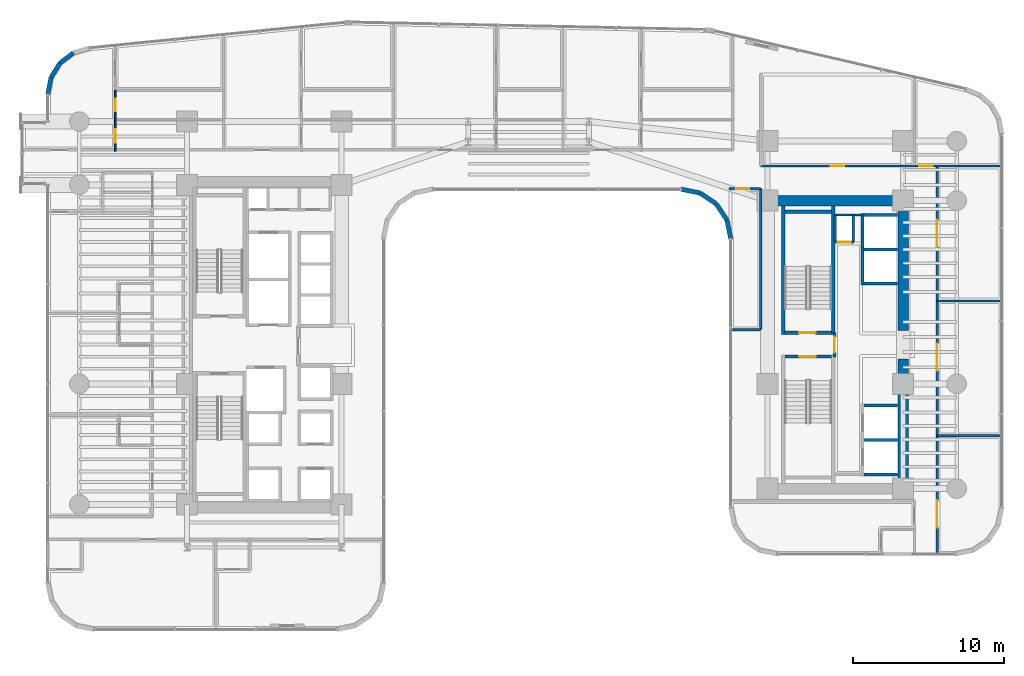
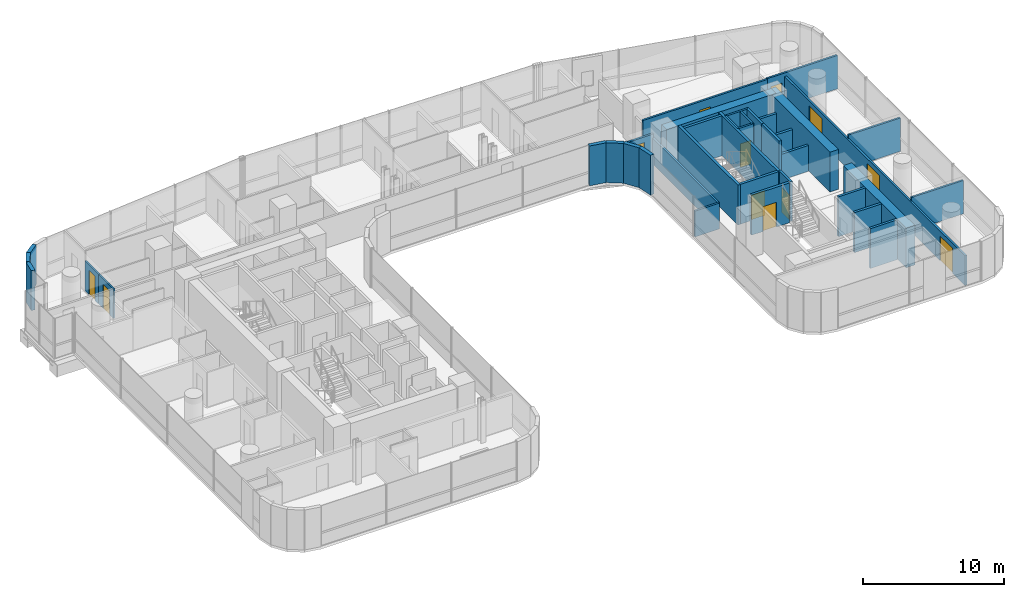
# One storey, part 34 of 42: 38 walls, 12 doors, 12 openings.
"""IFC4 building model written with IfcOpenShell, lengths in metres."""

from ifc_helpers import new_model, si_unit, direction, frame, frame_2d, origin, place, context, subcontext, project, spatial, rectangle, extrude, material, layer, layer_set, type_object, element, fill, save


model = new_model("IFC4")

# Units and contexts
model_context = context("Model", 3, precision=1e-05, world=origin(), true_north=direction((0.0, 1.0)))
body_context = subcontext(model_context, "Body", "Model", "MODEL_VIEW")
ifc_project = project(units=[si_unit("LENGTHUNIT", "METRE"), si_unit("AREAUNIT", "SQUARE_METRE"), si_unit("VOLUMEUNIT", "CUBIC_METRE"), si_unit("PLANEANGLEUNIT", "RADIAN"), si_unit("MASSUNIT", "GRAM", prefix="KILO")], contexts=[model_context])

# Site, building, storey
site_placement = place(None, origin())
site = spatial("IfcSite", under=ifc_project, at=site_placement, CompositionType="ELEMENT")
building_placement = place(site_placement, origin())
building = spatial("IfcBuilding", under=site, at=building_placement, Name="Valdorenza Pilgrim Sanctuary Tower", CompositionType="ELEMENT")
storey_placement = place(building_placement, frame((0.0, 0.0, 55.60009765625)))
storey = spatial("IfcBuildingStorey", under=building, at=storey_placement, Name="L13", CompositionType="ELEMENT", Elevation=55.60009765625)

# Wall, opening, door
ifc_material_1 = material(Name="Acoustic twin-stud gypsum partition", Category="gypsum")
ifc_layer_1 = layer(ifc_material_1, 0.159912109375, Name="Acoustic twin-stud gypsum partition")
ifc_layer_set_1 = layer_set([ifc_layer_1], Name="Acoustic twin-stud gypsum partition")
wall_type_1 = type_object("IfcWallType", Name="WAL-COR-160", PredefinedType="PARTITIONING", material=ifc_layer_set_1)
wall_1_placement = place(storey_placement, frame((20.35009765625, 6.800048828125, 0.0), z_axis=(0.0, 0.0, 1.0), x_axis=(1.0, 0.0, 0.0)))
wall_1 = element("IfcWall", 1, at=wall_1_placement, inside=storey, type_object=wall_type_1, Name="L13 Core B Riser South Wall", PredefinedType="PARTITIONING", context=body_context, shape_type="SweptSolid", body=[
    extrude(rectangle(XDim=1.199951171875, YDim=0.159912109375, at=frame_2d((0.60009765625, 0.0))), origin(), (0.0, 0.0, 1.0), 3.4599609375),
])
opening_1_placement = place(wall_1_placement, frame((0.175048828125, 0.0, 0.0)))
opening_1 = element("IfcOpeningElement", 2, at=opening_1_placement, cuts=wall_1, Name="Opening DR-RS1", PredefinedType="OPENING", context=body_context, shape_type="SweptSolid", body=[
    extrude(rectangle(XDim=0.85009765625, YDim=2.050048828125, at=frame_2d((0.425048828125, 1.02490234375))), frame((0.0, 0.0947265625, 0.0), z_axis=(0.0, -1.0, 0.0), x_axis=(1.0, 0.0, 0.0)), (0.0, 0.0, 1.0), 0.189697265625),
])
ifc_material_2 = material(Name="Painted galvanized steel", Category="steel")
door_type_1 = type_object("IfcDoorType", Name="DR-RSR-850", OperationType="NOTDEFINED", PredefinedType="DOOR", material=ifc_material_2)
door_1_placement = place(opening_1_placement, origin())
door_1 = element("IfcDoor", 3, at=door_1_placement, inside=storey, type_object=door_type_1, Name="L13 Core B Electrical Riser Door", OperationType="SINGLE_SWING_LEFT", OverallHeight=2.050048828125, OverallWidth=0.85009765625, PredefinedType="DOOR", context=body_context, shape_type="SweptSolid", body=[
    extrude(rectangle(XDim=0.85009765625, YDim=2.050048828125, at=frame_2d((0.425048828125, 1.02490234375))), frame((0.0, 0.02490234375, 0.0), z_axis=(0.0, -1.0, 0.0), x_axis=(1.0, 0.0, 0.0)), (0.0, 0.0, 1.0), 0.050048828125),
])
fill(opening_1, door_1)

# Walls
for number, where, z_axis, x_axis, name in (
    (4, (21.550048828125, 6.800048828125, 0.0), (0.0, 0.0, 1.0), (0.0, 1.0, 0.0), "L13 Core B Riser East Wall"),
    (5, (20.35009765625, 6.800048828125, 0.0), (0.0, 0.0, 1.0), (0.0, 1.0, 0.0), "L13 Core B Riser West Wall"),
):
    element("IfcWall", number, at=place(storey_placement, frame(where, z_axis=z_axis, x_axis=x_axis)), inside=storey, type_object=wall_type_1, Name=name, PredefinedType="PARTITIONING", context=body_context, shape_type="SweptSolid", body=[
        extrude(rectangle(XDim=1.800048828125, YDim=0.159912109375, at=frame_2d((0.89990234375, 0.0))), origin(), (0.0, 0.0, 1.0), 3.4599609375),
    ])
wall_2_placement = place(storey_placement, frame((20.300048828125, 8.60009765625, 0.0), z_axis=(0.0, 0.0, 1.0), x_axis=(1.0, 0.0, 0.0)))
element("IfcWall", 6, at=wall_2_placement, inside=storey, type_object=wall_type_1, Name="L13 Core B Lift Hall North End Wall", PredefinedType="PARTITIONING", context=body_context, shape_type="SweptSolid", body=[
    extrude(rectangle(XDim=1.820068359375, YDim=0.159912109375, at=frame_2d((0.91015625, 0.0))), origin(), (0.0, 0.0, 1.0), 3.4599609375),
])

# Wall, opening, door
wall_3_placement = place(storey_placement, frame((15.39990234375, 11.85009765625, 0.0), z_axis=(0.0, 0.0, 1.0), x_axis=(1.0, 0.0, 0.0)))
wall_3 = element("IfcWall", 7, at=wall_3_placement, inside=storey, type_object=wall_type_1, Name="L13 Wing B North Corridor Wall", PredefinedType="PARTITIONING", context=body_context, shape_type="SweptSolid", body=[
    extrude(rectangle(XDim=10.2001953125, YDim=0.159912109375, at=frame_2d((5.10009765625, 0.0))), origin(), (0.0, 0.0, 1.0), 2.833984375),
])
opening_2_placement = place(wall_3_placement, frame((4.64990234375, 0.0, 0.0)))
opening_2 = element("IfcOpeningElement", 8, at=opening_2_placement, cuts=wall_3, Name="Opening DR-RM1", PredefinedType="OPENING", context=body_context, shape_type="SweptSolid", body=[
    extrude(rectangle(XDim=0.89990234375, YDim=2.10009765625, at=frame_2d((0.449951171875, 1.050048828125))), frame((0.0, 0.0947265625, 0.0), z_axis=(0.0, -1.0, 0.0), x_axis=(1.0, 0.0, 0.0)), (0.0, 0.0, 1.0), 0.189697265625),
])
ifc_material_3 = material(Name="Solid-core European oak timber", Category="wood")
door_type_2 = type_object("IfcDoorType", Name="DR-ROOM-900", OperationType="NOTDEFINED", PredefinedType="DOOR", material=ifc_material_3)
door_2_placement = place(opening_2_placement, frame((0.89990234375, 0.0, 0.0), z_axis=(0.0, 0.0, 1.0), x_axis=(-1.0, 0.0, 0.0)))
door_2 = element("IfcDoor", 9, at=door_2_placement, inside=storey, type_object=door_type_2, Name="L13 Curator Research Office L13-BN1 Door", OperationType="SINGLE_SWING_LEFT", OverallHeight=2.10009765625, OverallWidth=0.89990234375, PredefinedType="DOOR", context=body_context, shape_type="SweptSolid", body=[
    extrude(rectangle(XDim=0.89990234375, YDim=2.10009765625, at=frame_2d((0.449951171875, 1.050048828125))), frame((0.0, 0.02490234375, 0.0), z_axis=(0.0, -1.0, 0.0), x_axis=(1.0, 0.0, 0.0)), (0.0, 0.0, 1.0), 0.050048828125),
])
fill(opening_2, door_2)

# Wall, openings, doors
wall_4_placement = place(storey_placement, frame((27.10009765625, -13.889892578125, 0.0), z_axis=(0.0, 0.0, 1.0), x_axis=(0.0, 1.0, 0.0)))
wall_4 = element("IfcWall", 10, at=wall_4_placement, inside=storey, type_object=wall_type_1, Name="L13 Wing B East Corridor Wall", PredefinedType="PARTITIONING", context=body_context, shape_type="SweptSolid", body=[
    extrude(rectangle(XDim=25.739990234375, YDim=0.159912109375, at=frame_2d((12.8701171875, 0.0))), origin(), (0.0, 0.0, 1.0), 2.5830078125),
])
opening_3_placement = place(wall_4_placement, frame((1.760009765625, 0.0, 0.0)))
opening_3 = element("IfcOpeningElement", 11, at=opening_3_placement, cuts=wall_4, Name="Opening DR-HL1", PredefinedType="OPENING", context=body_context, shape_type="SweptSolid", body=[
    extrude(rectangle(XDim=1.800048828125, YDim=2.14990234375, at=frame_2d((0.89990234375, 1.074951171875))), frame((0.0, 0.0947265625, 0.0), z_axis=(0.0, -1.0, 0.0), x_axis=(1.0, 0.0, 0.0)), (0.0, 0.0, 1.0), 0.189697265625),
])
opening_4_placement = place(wall_4_placement, frame((12.159912109375, 0.0, 0.0)))
opening_4 = element("IfcOpeningElement", 12, at=opening_4_placement, cuts=wall_4, Name="Opening DR-HL1", PredefinedType="OPENING", context=body_context, shape_type="SweptSolid", body=[
    extrude(rectangle(XDim=1.800048828125, YDim=2.14990234375, at=frame_2d((0.89990234375, 1.074951171875))), frame((0.0, 0.0947265625, 0.0), z_axis=(0.0, -1.0, 0.0), x_axis=(1.0, 0.0, 0.0)), (0.0, 0.0, 1.0), 0.189697265625),
])
opening_5_placement = place(wall_4_placement, frame((20.364990234375, 0.0, 0.0)))
opening_5 = element("IfcOpeningElement", 13, at=opening_5_placement, cuts=wall_4, Name="Opening DR-HL1", PredefinedType="OPENING", context=body_context, shape_type="SweptSolid", body=[
    extrude(rectangle(XDim=1.800048828125, YDim=2.14990234375, at=frame_2d((0.89990234375, 1.074951171875))), frame((0.0, 0.0947265625, 0.0), z_axis=(0.0, -1.0, 0.0), x_axis=(1.0, 0.0, 0.0)), (0.0, 0.0, 1.0), 0.189697265625),
])
ifc_material_4 = material(Name="Acoustic oak and vision-glass double door", Category="glass")
door_type_3 = type_object("IfcDoorType", Name="DR-HALL-1800", OperationType="NOTDEFINED", PredefinedType="DOOR", material=ifc_material_4)
door_3_placement = place(opening_3_placement, frame((1.800048828125, 0.0, 0.0), z_axis=(0.0, 0.0, 1.0), x_axis=(-1.0, 0.0, 0.0)))
door_3 = element("IfcDoor", 14, at=door_3_placement, inside=storey, type_object=door_type_3, Name="L13 East Reading Lounge L13-EB1 Door", OperationType="DOUBLE_DOOR_SINGLE_SWING", OverallHeight=2.14990234375, OverallWidth=1.800048828125, PredefinedType="DOOR", context=body_context, shape_type="SweptSolid", body=[
    extrude(rectangle(XDim=1.800048828125, YDim=2.14990234375, at=frame_2d((0.89990234375, 1.074951171875))), frame((0.0, 0.02490234375, 0.0), z_axis=(0.0, -1.0, 0.0), x_axis=(1.0, 0.0, 0.0)), (0.0, 0.0, 1.0), 0.050048828125),
])
fill(opening_3, door_3)
door_4_placement = place(opening_4_placement, origin())
door_4 = element("IfcDoor", 15, at=door_4_placement, inside=storey, type_object=door_type_3, Name="L13 East Reading Lounge L13-EB2 Door", OperationType="DOUBLE_DOOR_SINGLE_SWING", OverallHeight=2.14990234375, OverallWidth=1.800048828125, PredefinedType="DOOR", context=body_context, shape_type="SweptSolid", body=[
    extrude(rectangle(XDim=1.800048828125, YDim=2.14990234375, at=frame_2d((0.89990234375, 1.074951171875))), frame((0.0, 0.02490234375, 0.0), z_axis=(0.0, -1.0, 0.0), x_axis=(1.0, 0.0, 0.0)), (0.0, 0.0, 1.0), 0.050048828125),
])
fill(opening_4, door_4)
door_5_placement = place(opening_5_placement, frame((1.800048828125, 0.0, 0.0), z_axis=(0.0, 0.0, 1.0), x_axis=(-1.0, 0.0, 0.0)))
door_5 = element("IfcDoor", 16, at=door_5_placement, inside=storey, type_object=door_type_3, Name="L13 East Reading Lounge L13-EB3 Door", OperationType="DOUBLE_DOOR_SINGLE_SWING", OverallHeight=2.14990234375, OverallWidth=1.800048828125, PredefinedType="DOOR", context=body_context, shape_type="SweptSolid", body=[
    extrude(rectangle(XDim=1.800048828125, YDim=2.14990234375, at=frame_2d((0.89990234375, 1.074951171875))), frame((0.0, 0.02490234375, 0.0), z_axis=(0.0, -1.0, 0.0), x_axis=(1.0, 0.0, 0.0)), (0.0, 0.0, 1.0), 0.050048828125),
])
fill(opening_5, door_5)

# Wall, opening, door
wall_5_placement = place(storey_placement, frame((25.60009765625, 11.85009765625, 0.0), z_axis=(0.0, 0.0, 1.0), x_axis=(1.0, 0.0, 0.0)))
wall_5 = element("IfcWall", 17, at=wall_5_placement, inside=storey, type_object=wall_type_1, Name="L13 East Wing NE Corner South Wall", PredefinedType="PARTITIONING", context=body_context, shape_type="SweptSolid", body=[
    extrude(rectangle(XDim=5.789794921875, YDim=0.159912109375, at=frame_2d((2.89501953125, 0.0))), origin(), (0.0, 0.0, 1.0), 2.89599609375),
])
opening_6_placement = place(wall_5_placement, frame((0.300048828125, 0.0, 0.0)))
opening_6 = element("IfcOpeningElement", 18, at=opening_6_placement, cuts=wall_5, Name="Opening DR-RM1", PredefinedType="OPENING", context=body_context, shape_type="SweptSolid", body=[
    extrude(rectangle(XDim=0.89990234375, YDim=2.10009765625, at=frame_2d((0.449951171875, 1.050048828125))), frame((0.0, 0.0947265625, 0.0), z_axis=(0.0, -1.0, 0.0), x_axis=(1.0, 0.0, 0.0)), (0.0, 0.0, 1.0), 0.189697265625),
])
door_6_placement = place(opening_6_placement, origin())
door_6 = element("IfcDoor", 19, at=door_6_placement, inside=storey, type_object=door_type_2, Name="L13 East North Alcove Office L13 Door", OperationType="SINGLE_SWING_RIGHT", OverallHeight=2.10009765625, OverallWidth=0.89990234375, PredefinedType="DOOR", context=body_context, shape_type="SweptSolid", body=[
    extrude(rectangle(XDim=0.89990234375, YDim=2.10009765625, at=frame_2d((0.449951171875, 1.050048828125))), frame((0.0, 0.02490234375, 0.0), z_axis=(0.0, -1.0, 0.0), x_axis=(1.0, 0.0, 0.0)), (0.0, 0.0, 1.0), 0.050048828125),
])
fill(opening_6, door_6)

wall_6_placement = place(storey_placement, frame((13.300048828125, 10.35009765625, 0.0), z_axis=(0.0, 0.0, 1.0), x_axis=(1.0, 0.0, 0.0)))
wall_6 = element("IfcWall", 20, at=wall_6_placement, inside=storey, type_object=wall_type_1, Name="L13 Courtyard Overlook North Wall", PredefinedType="PARTITIONING", context=body_context, shape_type="SweptSolid", body=[
    extrude(rectangle(XDim=2.099853515625, YDim=0.159912109375, at=frame_2d((1.0498046875, 0.0))), origin(), (0.0, 0.0, 1.0), 2.5830078125),
])
opening_7_placement = place(wall_6_placement, frame((0.449951171875, 0.0, 0.0)))
opening_7 = element("IfcOpeningElement", 21, at=opening_7_placement, cuts=wall_6, Name="Opening DR-RM1", PredefinedType="OPENING", context=body_context, shape_type="SweptSolid", body=[
    extrude(rectangle(XDim=0.89990234375, YDim=2.10009765625, at=frame_2d((0.449951171875, 1.050048828125))), frame((0.0, 0.0947265625, 0.0), z_axis=(0.0, -1.0, 0.0), x_axis=(1.0, 0.0, 0.0)), (0.0, 0.0, 1.0), 0.189697265625),
])
door_7_placement = place(opening_7_placement, origin())
door_7 = element("IfcDoor", 22, at=door_7_placement, inside=storey, type_object=door_type_2, Name="L13 Courtyard Overlook Salon Door", OperationType="SINGLE_SWING_RIGHT", OverallHeight=2.10009765625, OverallWidth=0.89990234375, PredefinedType="DOOR", context=body_context, shape_type="SweptSolid", body=[
    extrude(rectangle(XDim=0.89990234375, YDim=2.10009765625, at=frame_2d((0.449951171875, 1.050048828125))), frame((0.0, 0.02490234375, 0.0), z_axis=(0.0, -1.0, 0.0), x_axis=(1.0, 0.0, 0.0)), (0.0, 0.0, 1.0), 0.050048828125),
])
fill(opening_7, door_7)

# Walls
wall_7_placement = place(storey_placement, frame((15.39990234375, 1.0, 0.0), z_axis=(0.0, 0.0, 1.0), x_axis=(0.0, 1.0, 0.0)))
element("IfcWall", 23, at=wall_7_placement, inside=storey, type_object=wall_type_1, Name="L13 Courtyard Overlook East Wall", PredefinedType="PARTITIONING", context=body_context, shape_type="SweptSolid", body=[
    extrude(rectangle(XDim=9.35009765625, YDim=0.159912109375, at=frame_2d((4.675048828125, 0.0))), origin(), (0.0, 0.0, 1.0), 2.244873046875),
])
wall_8_placement = place(storey_placement, frame((13.409912109375, 1.0, 0.0), z_axis=(0.0, 0.0, 1.0), x_axis=(1.0, 0.0, 0.0)))
element("IfcWall", 24, at=wall_8_placement, inside=storey, type_object=wall_type_1, Name="L13 Courtyard Overlook South Wall", PredefinedType="PARTITIONING", context=body_context, shape_type="SweptSolid", body=[
    extrude(rectangle(XDim=1.989990234375, YDim=0.159912109375, at=frame_2d((0.9951171875, 0.0))), origin(), (0.0, 0.0, 1.0), 2.244873046875),
])
ifc_material_5 = material(Name="Concrete C60/75", Category="concrete")
ifc_layer_2 = layer(ifc_material_5, 0.699951171875, Name="Concrete C60/75")
ifc_layer_set_2 = layer_set([ifc_layer_2], Name="Concrete C60/75")
wall_type_2 = type_object("IfcWallType", Name="WAL-COR-700", PredefinedType="SHEAR", material=ifc_layer_set_2)
for number, where, z_axis, x_axis, name in (
    (25, (24.85009765625, -9.89990234375, 0.0), (0.0, 0.0, 1.0), (0.0, 1.0, 0.0), "L13 Split Core B Shear Wall ES"),
    (26, (24.85009765625, 0.949951171875, 0.0), (0.0, 0.0, 1.0), (0.0, 1.0, 0.0), "L13 Split Core B Shear Wall EN"),
):
    element("IfcWall", number, at=place(storey_placement, frame(where, z_axis=z_axis, x_axis=x_axis)), inside=storey, type_object=wall_type_2, Name=name, PredefinedType="SHEAR", context=body_context, shape_type="SweptSolid", body=[
        extrude(rectangle(XDim=8.949951171875, YDim=0.699951171875, at=frame_2d((4.47509765625, 0.0))), origin(), (0.0, 0.0, 1.0), 3.4599609375),
    ])
wall_9_placement = place(storey_placement, frame((15.85009765625, 9.550048828125, 0.0), z_axis=(0.0, 0.0, 1.0), x_axis=(1.0, 0.0, 0.0)))
element("IfcWall", 27, at=wall_9_placement, inside=storey, type_object=wall_type_2, Name="L13 Split Core B Shear Wall N", PredefinedType="SHEAR", context=body_context, shape_type="SweptSolid", body=[
    extrude(rectangle(XDim=9.0, YDim=0.699951171875, at=frame_2d((4.5, 0.0))), origin(), (0.0, 0.0, 1.0), 3.4599609375),
])
ifc_material_6 = material(Name="Honed travertine limestone", Category="masonry")
ifc_layer_3 = layer(ifc_material_6, 0.300048828125, Name="Honed travertine limestone")
ifc_layer_set_3 = layer_set([ifc_layer_3], Name="Honed travertine limestone")
wall_type_3 = type_object("IfcWallType", Name="WAL-EXT-300", PredefinedType="SOLIDWALL", material=ifc_layer_set_3)
wall_10_placement = place(storey_placement, frame((-31.889892578125, 16.593994140625, 0.0), z_axis=(0.0, 0.0, 1.0), x_axis=(0.182748995683, 0.9831596028, 0.0)))
element("IfcWall", 28, at=wall_10_placement, inside=storey, type_object=wall_type_3, Name="L13 Rounded Wind-Corner Stone Pier 2", PredefinedType="SOLIDWALL", context=body_context, shape_type="SweptSolid", body=[
    extrude(rectangle(XDim=1.1396484375, YDim=0.300048828125, at=frame_2d((0.56982421875, 0.0))), origin(), (0.0, 0.0, 1.0), 3.4599609375),
])
wall_11_placement = place(storey_placement, frame((-31.681640625, 17.71435546875, 0.0), z_axis=(0.0, 0.0, 1.0), x_axis=(0.524157723014, 0.8516212077, 0.0)))
element("IfcWall", 29, at=wall_11_placement, inside=storey, type_object=wall_type_3, Name="L13 Rounded Wind-Corner Stone Pier 3", PredefinedType="SOLIDWALL", context=body_context, shape_type="SweptSolid", body=[
    extrude(rectangle(XDim=1.12939453125, YDim=0.300048828125, at=frame_2d((0.564697265625, 0.0))), origin(), (0.0, 0.0, 1.0), 3.4599609375),
])
wall_12_placement = place(storey_placement, frame((-31.089599609375, 18.67626953125, 0.0), z_axis=(0.0, 0.0, 1.0), x_axis=(0.795253002434, 0.606277710393, 0.0)))
element("IfcWall", 30, at=wall_12_placement, inside=storey, type_object=wall_type_3, Name="L13 Rounded Wind-Corner Stone Pier 4", PredefinedType="SOLIDWALL", context=body_context, shape_type="SweptSolid", body=[
    extrude(rectangle(XDim=1.129150390625, YDim=0.300048828125, at=frame_2d((0.564453125, 0.0))), origin(), (0.0, 0.0, 1.0), 3.4599609375),
])
wall_13_placement = place(storey_placement, frame((13.409912109375, 7.0107421875, 0.0), z_axis=(0.0, 0.0, 1.0), x_axis=(-0.195090163074, 0.980785312019, 0.0)))
element("IfcWall", 31, at=wall_13_placement, inside=storey, type_object=wall_type_3, Name="L13 Rounded Wind-Corner Stone Pier 32", PredefinedType="SOLIDWALL", context=body_context, shape_type="SweptSolid", body=[
    extrude(rectangle(XDim=1.281494140625, YDim=0.300048828125, at=frame_2d((0.640625, 0.0))), origin(), (0.0, 0.0, 1.0), 3.4599609375),
])
for number, where, z_axis, x_axis, name in (
    (32, (13.159912109375, 8.267578125, 0.0), (0.0, 0.0, 1.0), (-0.555615398575, 0.831439431869, 0.0), "L13 Rounded Wind-Corner Stone Pier 33"),
    (33, (12.44189453125, 9.342041015625, 0.0), (0.0, 0.0, 1.0), (-0.831439431869, 0.555615398575, 0.0), "L13 Rounded Wind-Corner Stone Pier 34"),
):
    element("IfcWall", number, at=place(storey_placement, frame(where, z_axis=z_axis, x_axis=x_axis)), inside=storey, type_object=wall_type_3, Name=name, PredefinedType="SOLIDWALL", context=body_context, shape_type="SweptSolid", body=[
        extrude(rectangle(XDim=1.292236328125, YDim=0.300048828125, at=frame_2d((0.64599609375, 0.0))), origin(), (0.0, 0.0, 1.0), 3.4599609375),
    ])
wall_14_placement = place(storey_placement, frame((11.367431640625, 10.06005859375, 0.0), z_axis=(0.0, 0.0, 1.0), x_axis=(-0.980778058848, 0.195126623715, 0.0)))
element("IfcWall", 34, at=wall_14_placement, inside=storey, type_object=wall_type_3, Name="L13 Rounded Wind-Corner Stone Pier 35", PredefinedType="SOLIDWALL", context=body_context, shape_type="SweptSolid", body=[
    extrude(rectangle(XDim=1.28125, YDim=0.300048828125, at=frame_2d((0.640625, 0.0))), origin(), (0.0, 0.0, 1.0), 3.4599609375),
])

# Wall, opening, door
ifc_material_7 = material(Name="Gypsum shaftwall partition", Category="gypsum")
ifc_layer_4 = layer(ifc_material_7, 0.199951171875, Name="Gypsum shaftwall partition")
ifc_layer_set_4 = layer_set([ifc_layer_4], Name="Gypsum shaftwall partition")
wall_type_4 = type_object("IfcWallType", Name="WAL-FFL-200", PredefinedType="PARTITIONING", material=ifc_layer_set_4)
wall_15_placement = place(storey_placement, frame((20.300048828125, -0.820068359375, 0.0), z_axis=(0.0, 0.0, 1.0), x_axis=(0.0, 1.0, 0.0)))
wall_15 = element("IfcWall", 35, at=wall_15_placement, inside=storey, type_object=wall_type_4, Name="L13 Core B Firefighting Lobby East Wall", PredefinedType="PARTITIONING", context=body_context, shape_type="SweptSolid", body=[
    extrude(rectangle(XDim=1.64013671875, YDim=0.199951171875, at=frame_2d((0.820068359375, 0.0))), origin(), (0.0, 0.0, 1.0), 3.4599609375),
])
opening_8_placement = place(wall_15_placement, frame((0.294921875, 0.0, 0.0)))
opening_8 = element("IfcOpeningElement", 36, at=opening_8_placement, cuts=wall_15, Name="Opening DR-FL1", PredefinedType="OPENING", context=body_context, shape_type="SweptSolid", body=[
    extrude(rectangle(XDim=1.050048828125, YDim=2.14990234375, at=frame_2d((0.52490234375, 1.074951171875))), frame((0.0, 0.11474609375, 0.0), z_axis=(0.0, -1.0, 0.0), x_axis=(1.0, 0.0, 0.0)), (0.0, 0.0, 1.0), 0.229736328125),
])
door_type_4 = type_object("IfcDoorType", Name="DR-FFL-1050", OperationType="NOTDEFINED", PredefinedType="DOOR", material=ifc_material_2)
door_8_placement = place(opening_8_placement, origin())
door_8 = element("IfcDoor", 37, at=door_8_placement, inside=storey, type_object=door_type_4, Name="L13 Core B Firefighting Lobby Door", OperationType="SINGLE_SWING_RIGHT", OverallHeight=2.14990234375, OverallWidth=1.050048828125, PredefinedType="DOOR", context=body_context, shape_type="SweptSolid", body=[
    extrude(rectangle(XDim=1.050048828125, YDim=2.14990234375, at=frame_2d((0.52490234375, 1.074951171875))), frame((0.0, 0.02490234375, 0.0), z_axis=(0.0, -1.0, 0.0), x_axis=(1.0, 0.0, 0.0)), (0.0, 0.0, 1.0), 0.050048828125),
])
fill(opening_8, door_8)

ifc_material_8 = material(Name="Moisture-resistant gypsum partition", Category="gypsum")
ifc_layer_5 = layer(ifc_material_8, 0.1201171875, Name="Moisture-resistant gypsum partition")
ifc_layer_set_5 = layer_set([ifc_layer_5], Name="Moisture-resistant gypsum partition")
wall_type_5 = type_object("IfcWallType", Name="WAL-INT-120", PredefinedType="PARTITIONING", material=ifc_layer_set_5)
wall_16_placement = place(storey_placement, frame((-27.421142578125, 14.919921875, 0.0), z_axis=(0.0, 0.0, 1.0), x_axis=(0.0, 1.0, 0.0)))
wall_16 = element("IfcWall", 38, at=wall_16_placement, inside=storey, type_object=wall_type_5, Name="L13 North Sanctuary Apartment L13-N1 Bathroom Door Wall", PredefinedType="PARTITIONING", context=body_context, shape_type="SweptSolid", body=[
    extrude(rectangle(XDim=1.9501953125, YDim=0.1201171875, at=frame_2d((0.97509765625, 0.0))), origin(), (0.0, 0.0, 1.0), 2.5830078125),
])
opening_9_placement = place(wall_16_placement, frame((0.550048828125, 0.0, 0.0)))
opening_9 = element("IfcOpeningElement", 39, at=opening_9_placement, cuts=wall_16, Name="Opening DR-WC1", PredefinedType="OPENING", context=body_context, shape_type="SweptSolid", body=[
    extrude(rectangle(XDim=0.85009765625, YDim=2.10009765625, at=frame_2d((0.425048828125, 1.050048828125))), frame((0.0, 0.074951171875, 0.0), z_axis=(0.0, -1.0, 0.0), x_axis=(1.0, 0.0, 0.0)), (0.0, 0.0, 1.0), 0.14990234375),
])
ifc_material_9 = material(Name="Moisture-resistant lacquered timber", Category="wood")
door_type_5 = type_object("IfcDoorType", Name="DR-BATH-850", OperationType="NOTDEFINED", PredefinedType="DOOR", material=ifc_material_9)
door_9_placement = place(opening_9_placement, origin())
door_9 = element("IfcDoor", 40, at=door_9_placement, inside=storey, type_object=door_type_5, Name="L13 North Sanctuary Apartment L13-N1 Bathroom Door", OperationType="SINGLE_SWING_RIGHT", OverallHeight=2.10009765625, OverallWidth=0.85009765625, PredefinedType="DOOR", context=body_context, shape_type="SweptSolid", body=[
    extrude(rectangle(XDim=0.85009765625, YDim=2.10009765625, at=frame_2d((0.425048828125, 1.050048828125))), frame((0.0, 0.02490234375, 0.0), z_axis=(0.0, -1.0, 0.0), x_axis=(1.0, 0.0, 0.0)), (0.0, 0.0, 1.0), 0.050048828125),
])
fill(opening_9, door_9)

wall_17_placement = place(storey_placement, frame((-27.421142578125, 12.840087890625, 0.0), z_axis=(0.0, 0.0, 1.0), x_axis=(0.0, 1.0, 0.0)))
wall_17 = element("IfcWall", 41, at=wall_17_placement, inside=storey, type_object=wall_type_5, Name="L13 North Sanctuary Apartment L13-N1 Kitchen Door Wall", PredefinedType="PARTITIONING", context=body_context, shape_type="SweptSolid", body=[
    extrude(rectangle(XDim=2.079833984375, YDim=0.1201171875, at=frame_2d((1.0400390625, 0.0))), origin(), (0.0, 0.0, 1.0), 2.5830078125),
])
opening_10_placement = place(wall_17_placement, frame((0.550048828125, 0.0, 0.0)))
opening_10 = element("IfcOpeningElement", 42, at=opening_10_placement, cuts=wall_17, Name="Opening DR-RM1", PredefinedType="OPENING", context=body_context, shape_type="SweptSolid", body=[
    extrude(rectangle(XDim=0.89990234375, YDim=2.10009765625, at=frame_2d((0.449951171875, 1.050048828125))), frame((0.0, 0.074951171875, 0.0), z_axis=(0.0, -1.0, 0.0), x_axis=(1.0, 0.0, 0.0)), (0.0, 0.0, 1.0), 0.14990234375),
])
door_10_placement = place(opening_10_placement, origin())
door_10 = element("IfcDoor", 43, at=door_10_placement, inside=storey, type_object=door_type_2, Name="L13 North Sanctuary Apartment L13-N1 Kitchen Door", OperationType="SINGLE_SWING_LEFT", OverallHeight=2.10009765625, OverallWidth=0.89990234375, PredefinedType="DOOR", context=body_context, shape_type="SweptSolid", body=[
    extrude(rectangle(XDim=0.89990234375, YDim=2.10009765625, at=frame_2d((0.449951171875, 1.050048828125))), frame((0.0, 0.02490234375, 0.0), z_axis=(0.0, -1.0, 0.0), x_axis=(1.0, 0.0, 0.0)), (0.0, 0.0, 1.0), 0.050048828125),
])
fill(opening_10, door_10)

# Walls
ifc_material_10 = material(Name="Autoclaved aerated concrete blockwork", Category="masonry")
ifc_layer_6 = layer(ifc_material_10, 0.199951171875, Name="Autoclaved aerated concrete blockwork")
ifc_layer_set_6 = layer_set([ifc_layer_6], Name="Autoclaved aerated concrete blockwork")
wall_type_6 = type_object("IfcWallType", Name="WAL-SHF-200", PredefinedType="MOVABLE", material=ifc_layer_set_6)
for number, where, z_axis, x_axis, name in (
    (44, (22.25, -8.60009765625, 0.0), (0.0, 0.0, 1.0), (1.0, 0.0, 0.0), "L13 Lift PL-03 Hoistway Wall South"),
    (45, (22.25, -6.324951171875, 0.0), (0.0, 0.0, 1.0), (1.0, 0.0, 0.0), "L13 Lift PL-03 Hoistway Wall North"),
    (46, (22.25, -4.050048828125, 0.0), (0.0, 0.0, 1.0), (1.0, 0.0, 0.0), "L13 Lift PL-04 Hoistway Wall North"),
):
    element("IfcWall", number, at=place(storey_placement, frame(where, z_axis=z_axis, x_axis=x_axis)), inside=storey, type_object=wall_type_6, Name=name, PredefinedType="MOVABLE", context=body_context, shape_type="SweptSolid", body=[
        extrude(rectangle(XDim=2.22998046875, YDim=0.199951171875, at=frame_2d((1.114990234375, 0.0))), origin(), (0.0, 0.0, 1.0), 3.4599609375),
    ])
wall_18_placement = place(storey_placement, frame((22.14990234375, 3.949951171875, 0.0), z_axis=(0.0, 0.0, 1.0), x_axis=(0.0, 1.0, 0.0)))
element("IfcWall", 47, at=wall_18_placement, inside=storey, type_object=wall_type_6, Name="L13 Lift PL-07 Hoistway Wall West", PredefinedType="MOVABLE", context=body_context, shape_type="SweptSolid", body=[
    extrude(rectangle(XDim=2.47509765625, YDim=0.199951171875, at=frame_2d((1.237548828125, 0.0))), origin(), (0.0, 0.0, 1.0), 3.4599609375),
])
for number, where, z_axis, x_axis, name in (
    (48, (22.25, 4.050048828125, 0.0), (0.0, 0.0, 1.0), (1.0, 0.0, 0.0), "L13 Lift PL-07 Hoistway Wall South"),
    (49, (22.25, 6.324951171875, 0.0), (0.0, 0.0, 1.0), (1.0, 0.0, 0.0), "L13 Lift PL-07 Hoistway Wall North"),
):
    element("IfcWall", number, at=place(storey_placement, frame(where, z_axis=z_axis, x_axis=x_axis)), inside=storey, type_object=wall_type_6, Name=name, PredefinedType="MOVABLE", context=body_context, shape_type="SweptSolid", body=[
        extrude(rectangle(XDim=2.22998046875, YDim=0.199951171875, at=frame_2d((1.114990234375, 0.0))), origin(), (0.0, 0.0, 1.0), 2.244873046875),
    ])
wall_19_placement = place(storey_placement, frame((22.14990234375, 6.22509765625, 0.0), z_axis=(0.0, 0.0, 1.0), x_axis=(0.0, 1.0, 0.0)))
element("IfcWall", 50, at=wall_19_placement, inside=storey, type_object=wall_type_6, Name="L13 Lift PL-08 Hoistway Wall West", PredefinedType="MOVABLE", context=body_context, shape_type="SweptSolid", body=[
    extrude(rectangle(XDim=2.474853515625, YDim=0.199951171875, at=frame_2d((1.2373046875, 0.0))), origin(), (0.0, 0.0, 1.0), 3.4599609375),
])
wall_20_placement = place(storey_placement, frame((22.25, 8.60009765625, 0.0), z_axis=(0.0, 0.0, 1.0), x_axis=(1.0, 0.0, 0.0)))
element("IfcWall", 51, at=wall_20_placement, inside=storey, type_object=wall_type_6, Name="L13 Lift PL-08 Hoistway Wall North", PredefinedType="MOVABLE", context=body_context, shape_type="SweptSolid", body=[
    extrude(rectangle(XDim=2.22998046875, YDim=0.199951171875, at=frame_2d((1.114990234375, 0.0))), origin(), (0.0, 0.0, 1.0), 2.244873046875),
])
ifc_material_11 = material(Name="Concrete C40/50", Category="concrete")
ifc_layer_7 = layer(ifc_material_11, 0.219970703125, Name="Concrete C40/50")
ifc_layer_set_7 = layer_set([ifc_layer_7], Name="Concrete C40/50")
wall_type_7 = type_object("IfcWallType", Name="WAL-STR-SHF-220", PredefinedType="SHEAR", material=ifc_layer_set_7)
for number, where, z_axis, x_axis, name in (
    (52, (16.889892578125, 0.679931640625, 0.0), (0.0, 0.0, 1.0), (0.0, 1.0, 0.0), "L13 ST-B1 Structural Stairwell Wall W"),
    (53, (20.219970703125, 0.679931640625, 0.0), (0.0, 0.0, 1.0), (0.0, 1.0, 0.0), "L13 ST-B1 Structural Stairwell Wall E"),
):
    element("IfcWall", number, at=place(storey_placement, frame(where, z_axis=z_axis, x_axis=x_axis)), inside=storey, type_object=wall_type_7, Name=name, PredefinedType="SHEAR", context=body_context, shape_type="SweptSolid", body=[
        extrude(rectangle(XDim=8.52001953125, YDim=0.219970703125, at=frame_2d((4.260009765625, 0.0))), origin(), (0.0, 0.0, 1.0), 3.4599609375),
    ])

# Wall, opening, door
wall_21_placement = place(storey_placement, frame((17.0, 0.7900390625, 0.0), z_axis=(0.0, 0.0, 1.0), x_axis=(1.0, 0.0, 0.0)))
wall_21 = element("IfcWall", 54, at=wall_21_placement, inside=storey, type_object=wall_type_7, Name="L13 ST-B1 Structural Stairwell Wall S", PredefinedType="SHEAR", context=body_context, shape_type="SweptSolid", body=[
    extrude(rectangle(XDim=3.110107421875, YDim=0.219970703125, at=frame_2d((1.55517578125, 0.0))), origin(), (0.0, 0.0, 1.0), 3.4599609375),
])
opening_11_placement = place(wall_21_placement, frame((0.949951171875, 0.0, 0.0)))
opening_11 = element("IfcOpeningElement", 55, at=opening_11_placement, cuts=wall_21, Name="Opening DR-ST1", PredefinedType="OPENING", context=body_context, shape_type="SweptSolid", body=[
    extrude(rectangle(XDim=1.10009765625, YDim=2.14990234375, at=frame_2d((0.550048828125, 1.074951171875))), frame((0.0, 0.125, 0.0), z_axis=(0.0, -1.0, 0.0), x_axis=(1.0, 0.0, 0.0)), (0.0, 0.0, 1.0), 0.249755859375),
])
door_type_6 = type_object("IfcDoorType", Name="DR-STAIR-1100", OperationType="NOTDEFINED", PredefinedType="DOOR", material=ifc_material_2)
door_11_placement = place(opening_11_placement, frame((1.10009765625, 0.0, 0.0), z_axis=(0.0, 0.0, 1.0), x_axis=(-1.0, 0.0, 0.0)))
door_11 = element("IfcDoor", 56, at=door_11_placement, inside=storey, type_object=door_type_6, Name="L13 Exit Stair ST-B1 Door", OperationType="SINGLE_SWING_LEFT", OverallHeight=2.14990234375, OverallWidth=1.10009765625, PredefinedType="DOOR", context=body_context, shape_type="SweptSolid", body=[
    extrude(rectangle(XDim=1.10009765625, YDim=2.14990234375, at=frame_2d((0.550048828125, 1.074951171875))), frame((0.0, 0.02490234375, 0.0), z_axis=(0.0, -1.0, 0.0), x_axis=(1.0, 0.0, 0.0)), (0.0, 0.0, 1.0), 0.050048828125),
])
fill(opening_11, door_11)

# Wall
wall_22_placement = place(storey_placement, frame((17.0, 8.81005859375, 0.0), z_axis=(0.0, 0.0, 1.0), x_axis=(1.0, 0.0, 0.0)))
element("IfcWall", 57, at=wall_22_placement, inside=storey, type_object=wall_type_7, Name="L13 ST-B1 Structural Stairwell Wall N", PredefinedType="SHEAR", context=body_context, shape_type="SweptSolid", body=[
    extrude(rectangle(XDim=3.110107421875, YDim=0.219970703125, at=frame_2d((1.55517578125, 0.0))), origin(), (0.0, 0.0, 1.0), 3.4599609375),
])

# Wall, opening, door
wall_23_placement = place(storey_placement, frame((17.0, -0.7900390625, 0.0), z_axis=(0.0, 0.0, 1.0), x_axis=(1.0, 0.0, 0.0)))
wall_23 = element("IfcWall", 58, at=wall_23_placement, inside=storey, type_object=wall_type_7, Name="L13 ST-B2 Structural Stairwell Wall N", PredefinedType="SHEAR", context=body_context, shape_type="SweptSolid", body=[
    extrude(rectangle(XDim=3.110107421875, YDim=0.219970703125, at=frame_2d((1.55517578125, 0.0))), origin(), (0.0, 0.0, 1.0), 3.4599609375),
])
opening_12_placement = place(wall_23_placement, frame((0.949951171875, 0.0, 0.0)))
opening_12 = element("IfcOpeningElement", 59, at=opening_12_placement, cuts=wall_23, Name="Opening DR-ST1", PredefinedType="OPENING", context=body_context, shape_type="SweptSolid", body=[
    extrude(rectangle(XDim=1.10009765625, YDim=2.14990234375, at=frame_2d((0.550048828125, 1.074951171875))), frame((0.0, 0.125, 0.0), z_axis=(0.0, -1.0, 0.0), x_axis=(1.0, 0.0, 0.0)), (0.0, 0.0, 1.0), 0.249755859375),
])
door_12_placement = place(opening_12_placement, origin())
door_12 = element("IfcDoor", 60, at=door_12_placement, inside=storey, type_object=door_type_6, Name="L13 Exit Stair ST-B2 Door", OperationType="SINGLE_SWING_RIGHT", OverallHeight=2.14990234375, OverallWidth=1.10009765625, PredefinedType="DOOR", context=body_context, shape_type="SweptSolid", body=[
    extrude(rectangle(XDim=1.10009765625, YDim=2.14990234375, at=frame_2d((0.550048828125, 1.074951171875))), frame((0.0, 0.02490234375, 0.0), z_axis=(0.0, -1.0, 0.0), x_axis=(1.0, 0.0, 0.0)), (0.0, 0.0, 1.0), 0.050048828125),
])
fill(opening_12, door_12)

# Walls
ifc_layer_8 = layer(ifc_material_1, 0.14990234375, Name="Acoustic twin-stud gypsum partition")
ifc_layer_set_8 = layer_set([ifc_layer_8], Name="Acoustic twin-stud gypsum partition")
wall_type_8 = type_object("IfcWallType", Name="WAL-UNT-150", PredefinedType="PARTITIONING", material=ifc_layer_set_8)
for number, where, z_axis, x_axis, name in (
    (61, (27.10009765625, -6.050048828125, 0.0), (0.0, 0.0, 1.0), (1.0, 0.0, 0.0), "L13 East Reading Lounge L13-EB2 Demising Wall"),
    (62, (27.10009765625, 2.89990234375, 0.0), (0.0, 0.0, 1.0), (1.0, 0.0, 0.0), "L13 East Reading Lounge L13-EB3 Demising Wall"),
):
    element("IfcWall", number, at=place(storey_placement, frame(where, z_axis=z_axis, x_axis=x_axis)), inside=storey, type_object=wall_type_8, Name=name, PredefinedType="PARTITIONING", context=body_context, shape_type="SweptSolid", body=[
        extrude(rectangle(XDim=4.289794921875, YDim=0.14990234375, at=frame_2d((2.14501953125, 0.0))), origin(), (0.0, 0.0, 1.0), 2.89599609375),
    ])

save(model, "model.ifc")
